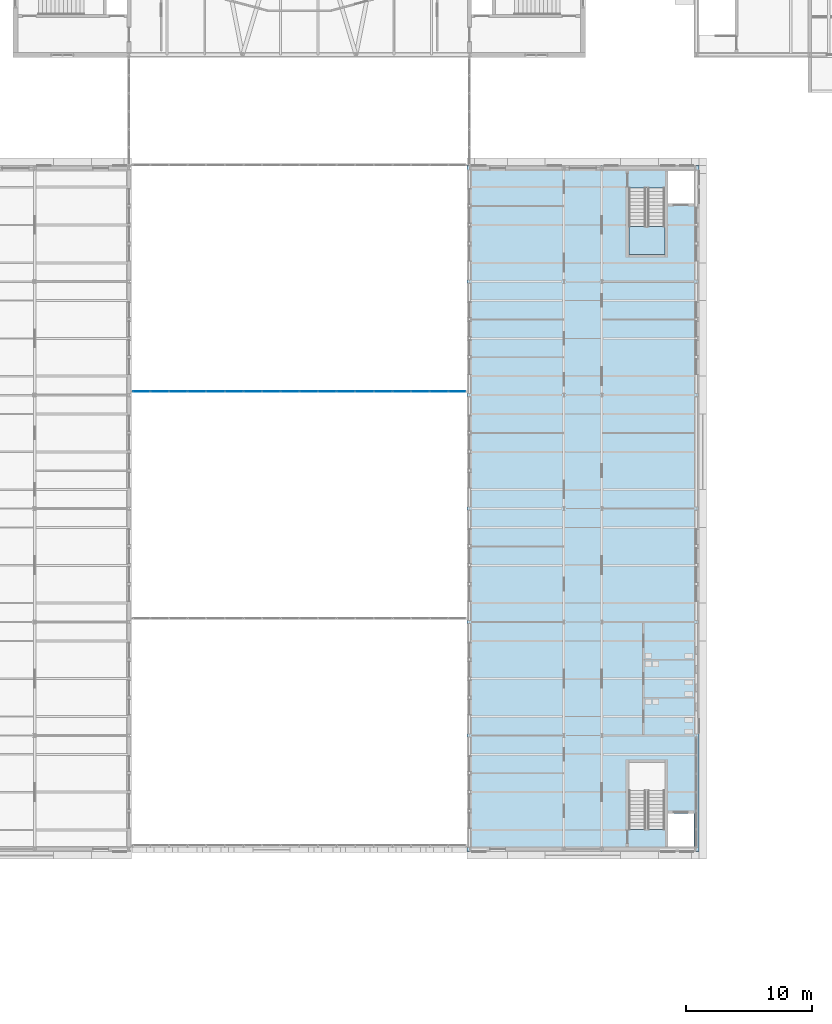
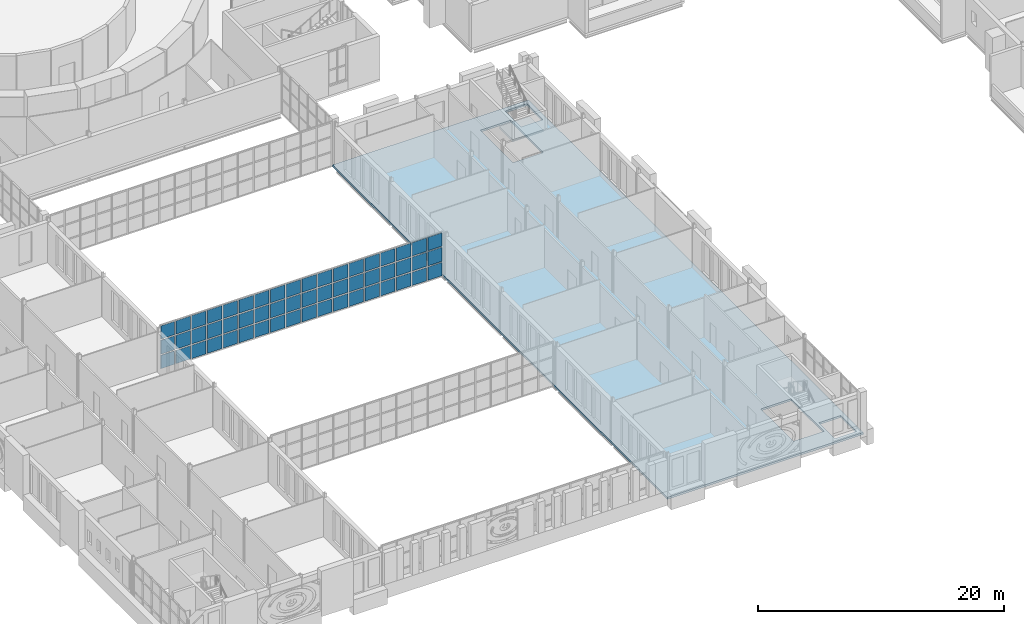
# One storey, part 63 of 131: 54 plates, 2 slabs, 2 elements without a shape of their own.
"""IFC4 building model written with IfcOpenShell, lengths in metres."""

from ifc_helpers import new_model, si_unit, direction, frame, origin, origin_2d, place, context, subcontext, project, spatial, polyline, rectangle, outline, extrude, material, layer, layer_set, type_object, element, aggregate, save


model = new_model("IFC4")

# Units and contexts
model_context = context("Model", 3, precision=1e-05, world=origin(), true_north=direction((0.0, 1.0)))
body_context = subcontext(model_context, "Body", "Model", "MODEL_VIEW")
ifc_project = project(units=[si_unit("LENGTHUNIT", "METRE"), si_unit("AREAUNIT", "SQUARE_METRE"), si_unit("VOLUMEUNIT", "CUBIC_METRE"), si_unit("PLANEANGLEUNIT", "RADIAN"), si_unit("MASSUNIT", "GRAM", prefix="KILO")], contexts=[model_context])

# Site, building, storey
site_placement = place(None, origin())
site = spatial("IfcSite", under=ifc_project, at=site_placement, CompositionType="ELEMENT")
building_placement = place(site_placement, origin())
building = spatial("IfcBuilding", under=site, at=building_placement, Name="Golden Quay Civic Hall", CompositionType="ELEMENT")
storey_placement = place(building_placement, frame((0.0, 0.0, 9.89990234375)))
storey = spatial("IfcBuildingStorey", under=building, at=storey_placement, Name="L02", CompositionType="ELEMENT", Elevation=9.89990234375)

# Slab
ifc_material_1 = material(Name="Concrete C35/45", Category="concrete")
ifc_layer_1 = layer(ifc_material_1, 0.199951171875)
ifc_layer_set_1 = layer_set([ifc_layer_1], Name="Composite floor 200")
slab_type_1 = type_object("IfcSlabType", Name="Composite floor 200", PredefinedType="FLOOR", material=ifc_layer_set_1)
slab_1_placement = place(storey_placement, frame((0.0, 0.0, -0.199951171875)))
element("IfcSlab", 1, at=slab_1_placement, inside=storey, type_object=slab_type_1, Name="EM floor L02", PredefinedType="FLOOR", context=body_context, shape_type="SweptSolid", body=[
    extrude(outline(polyline([(117.199951171875, -0.199951171875), (98.800048828125, -0.199951171875), (98.800048828125, 54.199951171875), (117.199951171875, 54.199951171875), (117.199951171875, -0.199951171875)]), holes=[polyline([(114.5, 1.554931640625), (114.5, 6.85009765625), (111.64990234375, 6.85009765625), (111.64990234375, 1.554931640625), (114.5, 1.554931640625)]), polyline([(114.75, 0.199951171875), (116.800048828125, 0.199951171875), (116.800048828125, 2.800048828125), (114.75, 2.800048828125), (114.75, 0.199951171875)]), polyline([(111.64990234375, 52.445068359375), (111.64990234375, 47.14990234375), (114.5, 47.14990234375), (114.5, 52.445068359375), (111.64990234375, 52.445068359375)]), polyline([(116.800048828125, 53.800048828125), (114.75, 53.800048828125), (114.75, 51.199951171875), (116.800048828125, 51.199951171875), (116.800048828125, 53.800048828125)])]), origin(), (0.0, 0.0, 1.0), 0.199951171875),
])

# Stair, slab
ifc_material_2 = material(Name="Concrete C35/45", Category="concrete")
stair_type = type_object("IfcStairType", Name="Concrete stair 1350 wide 24 risers of 187.5", PredefinedType="HALF_TURN_STAIR", material=ifc_material_2)
stair_placement = place(storey_placement, origin())
stair = element("IfcStair", 2, at=stair_placement, inside=storey, type_object=stair_type, Name="L02 Stair EM-N", PredefinedType="HALF_TURN_STAIR")
ifc_material_3 = material(Name="Concrete C35/45", Category="concrete")
ifc_layer_2 = layer(ifc_material_3, 0.199951171875)
ifc_layer_set_2 = layer_set([ifc_layer_2], Name="Concrete stair landing 200, Concrete C35/45")
slab_type_2 = type_object("IfcSlabType", Name="Concrete stair landing 200", PredefinedType="LANDING", material=ifc_layer_set_2)
slab_2_placement = place(storey_placement, frame((0.0, 0.0, 2.050048828125)))
slab_2 = element("IfcSlab", 3, at=slab_2_placement, type_object=slab_type_2, Name="EM-N landing 1", PredefinedType="LANDING", context=body_context, shape_type="SweptSolid", body=[
    extrude(outline(polyline([(111.64990234375, 49.3701171875), (111.64990234375, 47.14990234375), (114.5, 47.14990234375), (114.5, 49.3701171875), (111.64990234375, 49.3701171875)])), origin(), (0.0, 0.0, 1.0), 0.199951171875),
])
aggregate(stair, [slab_2])

# Curtain wall, plates
ifc_material_4 = material(Name="Fire-resisting glass and steel", Category="steel")
curtain_wall_type = type_object("IfcCurtainWallType", Name="Fire-resisting glazed curtain wall EI 120", PredefinedType="NOTDEFINED", material=ifc_material_4)
curtain_wall_placement = place(storey_placement, origin())
curtain_wall = element("IfcCurtainWall", 4, at=curtain_wall_placement, inside=storey, type_object=curtain_wall_type, Name="CW3 curtain wall", PredefinedType="NOTDEFINED")
ifc_material_5 = material(Name="Fire-resisting laminated glass", Category="glass")
ifc_layer_3 = layer(ifc_material_5, 0.0400390625)
ifc_layer_set_3 = layer_set([ifc_layer_3], Name="Fire-resisting glazed panel 40")
plate_type = type_object("IfcPlateType", Name="Fire-resisting glazed panel 40", PredefinedType="CURTAIN_PANEL", material=ifc_layer_set_3)
plate_1_placement = place(storey_placement, frame((72.968994140625, 36.27001953125, -0.080078125), z_axis=(0.0, 0.0, 1.0), x_axis=(1.0, 0.0, 0.0)))
plate_1 = element("IfcPlate", 5, at=plate_1_placement, type_object=plate_type, Name="CW3 panel 1.1", PredefinedType="CURTAIN_PANEL", context=body_context, shape_type="SweptSolid", body=[
    extrude(rectangle(XDim=1.2978515625, YDim=0.0400390625, at=origin_2d()), origin(), (0.0, 0.0, 1.0), 1.320068359375),
])
plate_2_placement = place(storey_placement, frame((72.968994140625, 36.27001953125, 1.360107421875), z_axis=(0.0, 0.0, 1.0), x_axis=(1.0, 0.0, 0.0)))
plate_2 = element("IfcPlate", 6, at=plate_2_placement, type_object=plate_type, Name="CW3 panel 1.2", PredefinedType="CURTAIN_PANEL", context=body_context, shape_type="SweptSolid", body=[
    extrude(rectangle(XDim=1.2978515625, YDim=0.0400390625, at=origin_2d()), origin(), (0.0, 0.0, 1.0), 1.3798828125),
])
plate_3_placement = place(storey_placement, frame((72.968994140625, 36.27001953125, 2.85986328125), z_axis=(0.0, 0.0, 1.0), x_axis=(1.0, 0.0, 0.0)))
plate_3 = element("IfcPlate", 7, at=plate_3_placement, type_object=plate_type, Name="CW3 panel 1.3", PredefinedType="CURTAIN_PANEL", context=body_context, shape_type="SweptSolid", body=[
    extrude(rectangle(XDim=1.2978515625, YDim=0.0400390625, at=origin_2d()), origin(), (0.0, 0.0, 1.0), 1.320068359375),
])
plate_4_placement = place(storey_placement, frame((74.416748046875, 36.27001953125, -0.080078125), z_axis=(0.0, 0.0, 1.0), x_axis=(1.0, 0.0, 0.0)))
plate_4 = element("IfcPlate", 8, at=plate_4_placement, type_object=plate_type, Name="CW3 panel 2.1", PredefinedType="CURTAIN_PANEL", context=body_context, shape_type="SweptSolid", body=[
    extrude(rectangle(XDim=1.357666015625, YDim=0.0400390625, at=origin_2d()), origin(), (0.0, 0.0, 1.0), 1.320068359375),
])
plate_5_placement = place(storey_placement, frame((74.416748046875, 36.27001953125, 1.360107421875), z_axis=(0.0, 0.0, 1.0), x_axis=(1.0, 0.0, 0.0)))
plate_5 = element("IfcPlate", 9, at=plate_5_placement, type_object=plate_type, Name="CW3 panel 2.2", PredefinedType="CURTAIN_PANEL", context=body_context, shape_type="SweptSolid", body=[
    extrude(rectangle(XDim=1.357666015625, YDim=0.0400390625, at=origin_2d()), origin(), (0.0, 0.0, 1.0), 1.3798828125),
])
plate_6_placement = place(storey_placement, frame((74.416748046875, 36.27001953125, 2.85986328125), z_axis=(0.0, 0.0, 1.0), x_axis=(1.0, 0.0, 0.0)))
plate_6 = element("IfcPlate", 10, at=plate_6_placement, type_object=plate_type, Name="CW3 panel 2.3", PredefinedType="CURTAIN_PANEL", context=body_context, shape_type="SweptSolid", body=[
    extrude(rectangle(XDim=1.357666015625, YDim=0.0400390625, at=origin_2d()), origin(), (0.0, 0.0, 1.0), 1.320068359375),
])
plate_7_placement = place(storey_placement, frame((75.89453125, 36.27001953125, -0.080078125), z_axis=(0.0, 0.0, 1.0), x_axis=(1.0, 0.0, 0.0)))
plate_7 = element("IfcPlate", 11, at=plate_7_placement, type_object=plate_type, Name="CW3 panel 3.1", PredefinedType="CURTAIN_PANEL", context=body_context, shape_type="SweptSolid", body=[
    extrude(rectangle(XDim=1.357666015625, YDim=0.0400390625, at=origin_2d()), origin(), (0.0, 0.0, 1.0), 1.320068359375),
])
plate_8_placement = place(storey_placement, frame((75.89453125, 36.27001953125, 1.360107421875), z_axis=(0.0, 0.0, 1.0), x_axis=(1.0, 0.0, 0.0)))
plate_8 = element("IfcPlate", 12, at=plate_8_placement, type_object=plate_type, Name="CW3 panel 3.2", PredefinedType="CURTAIN_PANEL", context=body_context, shape_type="SweptSolid", body=[
    extrude(rectangle(XDim=1.357666015625, YDim=0.0400390625, at=origin_2d()), origin(), (0.0, 0.0, 1.0), 1.3798828125),
])
plate_9_placement = place(storey_placement, frame((75.89453125, 36.27001953125, 2.85986328125), z_axis=(0.0, 0.0, 1.0), x_axis=(1.0, 0.0, 0.0)))
plate_9 = element("IfcPlate", 13, at=plate_9_placement, type_object=plate_type, Name="CW3 panel 3.3", PredefinedType="CURTAIN_PANEL", context=body_context, shape_type="SweptSolid", body=[
    extrude(rectangle(XDim=1.357666015625, YDim=0.0400390625, at=origin_2d()), origin(), (0.0, 0.0, 1.0), 1.320068359375),
])
plate_10_placement = place(storey_placement, frame((77.372314453125, 36.27001953125, -0.080078125), z_axis=(0.0, 0.0, 1.0), x_axis=(1.0, 0.0, 0.0)))
plate_10 = element("IfcPlate", 14, at=plate_10_placement, type_object=plate_type, Name="CW3 panel 4.1", PredefinedType="CURTAIN_PANEL", context=body_context, shape_type="SweptSolid", body=[
    extrude(rectangle(XDim=1.357666015625, YDim=0.0400390625, at=origin_2d()), origin(), (0.0, 0.0, 1.0), 1.320068359375),
])
plate_11_placement = place(storey_placement, frame((77.372314453125, 36.27001953125, 1.360107421875), z_axis=(0.0, 0.0, 1.0), x_axis=(1.0, 0.0, 0.0)))
plate_11 = element("IfcPlate", 15, at=plate_11_placement, type_object=plate_type, Name="CW3 panel 4.2", PredefinedType="CURTAIN_PANEL", context=body_context, shape_type="SweptSolid", body=[
    extrude(rectangle(XDim=1.357666015625, YDim=0.0400390625, at=origin_2d()), origin(), (0.0, 0.0, 1.0), 1.3798828125),
])
plate_12_placement = place(storey_placement, frame((77.372314453125, 36.27001953125, 2.85986328125), z_axis=(0.0, 0.0, 1.0), x_axis=(1.0, 0.0, 0.0)))
plate_12 = element("IfcPlate", 16, at=plate_12_placement, type_object=plate_type, Name="CW3 panel 4.3", PredefinedType="CURTAIN_PANEL", context=body_context, shape_type="SweptSolid", body=[
    extrude(rectangle(XDim=1.357666015625, YDim=0.0400390625, at=origin_2d()), origin(), (0.0, 0.0, 1.0), 1.320068359375),
])
plate_13_placement = place(storey_placement, frame((78.85009765625, 36.27001953125, -0.080078125), z_axis=(0.0, 0.0, 1.0), x_axis=(1.0, 0.0, 0.0)))
plate_13 = element("IfcPlate", 17, at=plate_13_placement, type_object=plate_type, Name="CW3 panel 5.1", PredefinedType="CURTAIN_PANEL", context=body_context, shape_type="SweptSolid", body=[
    extrude(rectangle(XDim=1.357666015625, YDim=0.0400390625, at=origin_2d()), origin(), (0.0, 0.0, 1.0), 1.320068359375),
])
plate_14_placement = place(storey_placement, frame((78.85009765625, 36.27001953125, 1.360107421875), z_axis=(0.0, 0.0, 1.0), x_axis=(1.0, 0.0, 0.0)))
plate_14 = element("IfcPlate", 18, at=plate_14_placement, type_object=plate_type, Name="CW3 panel 5.2", PredefinedType="CURTAIN_PANEL", context=body_context, shape_type="SweptSolid", body=[
    extrude(rectangle(XDim=1.357666015625, YDim=0.0400390625, at=origin_2d()), origin(), (0.0, 0.0, 1.0), 1.3798828125),
])
plate_15_placement = place(storey_placement, frame((78.85009765625, 36.27001953125, 2.85986328125), z_axis=(0.0, 0.0, 1.0), x_axis=(1.0, 0.0, 0.0)))
plate_15 = element("IfcPlate", 19, at=plate_15_placement, type_object=plate_type, Name="CW3 panel 5.3", PredefinedType="CURTAIN_PANEL", context=body_context, shape_type="SweptSolid", body=[
    extrude(rectangle(XDim=1.357666015625, YDim=0.0400390625, at=origin_2d()), origin(), (0.0, 0.0, 1.0), 1.320068359375),
])
plate_16_placement = place(storey_placement, frame((80.327880859375, 36.27001953125, -0.080078125), z_axis=(0.0, 0.0, 1.0), x_axis=(1.0, 0.0, 0.0)))
plate_16 = element("IfcPlate", 20, at=plate_16_placement, type_object=plate_type, Name="CW3 panel 6.1", PredefinedType="CURTAIN_PANEL", context=body_context, shape_type="SweptSolid", body=[
    extrude(rectangle(XDim=1.357666015625, YDim=0.0400390625, at=origin_2d()), origin(), (0.0, 0.0, 1.0), 1.320068359375),
])
plate_17_placement = place(storey_placement, frame((80.327880859375, 36.27001953125, 1.360107421875), z_axis=(0.0, 0.0, 1.0), x_axis=(1.0, 0.0, 0.0)))
plate_17 = element("IfcPlate", 21, at=plate_17_placement, type_object=plate_type, Name="CW3 panel 6.2", PredefinedType="CURTAIN_PANEL", context=body_context, shape_type="SweptSolid", body=[
    extrude(rectangle(XDim=1.357666015625, YDim=0.0400390625, at=origin_2d()), origin(), (0.0, 0.0, 1.0), 1.3798828125),
])
plate_18_placement = place(storey_placement, frame((80.327880859375, 36.27001953125, 2.85986328125), z_axis=(0.0, 0.0, 1.0), x_axis=(1.0, 0.0, 0.0)))
plate_18 = element("IfcPlate", 22, at=plate_18_placement, type_object=plate_type, Name="CW3 panel 6.3", PredefinedType="CURTAIN_PANEL", context=body_context, shape_type="SweptSolid", body=[
    extrude(rectangle(XDim=1.357666015625, YDim=0.0400390625, at=origin_2d()), origin(), (0.0, 0.0, 1.0), 1.320068359375),
])
plate_19_placement = place(storey_placement, frame((81.8056640625, 36.27001953125, -0.080078125), z_axis=(0.0, 0.0, 1.0), x_axis=(1.0, 0.0, 0.0)))
plate_19 = element("IfcPlate", 23, at=plate_19_placement, type_object=plate_type, Name="CW3 panel 7.1", PredefinedType="CURTAIN_PANEL", context=body_context, shape_type="SweptSolid", body=[
    extrude(rectangle(XDim=1.357666015625, YDim=0.0400390625, at=origin_2d()), origin(), (0.0, 0.0, 1.0), 1.320068359375),
])
plate_20_placement = place(storey_placement, frame((81.8056640625, 36.27001953125, 1.360107421875), z_axis=(0.0, 0.0, 1.0), x_axis=(1.0, 0.0, 0.0)))
plate_20 = element("IfcPlate", 24, at=plate_20_placement, type_object=plate_type, Name="CW3 panel 7.2", PredefinedType="CURTAIN_PANEL", context=body_context, shape_type="SweptSolid", body=[
    extrude(rectangle(XDim=1.357666015625, YDim=0.0400390625, at=origin_2d()), origin(), (0.0, 0.0, 1.0), 1.3798828125),
])
plate_21_placement = place(storey_placement, frame((81.8056640625, 36.27001953125, 2.85986328125), z_axis=(0.0, 0.0, 1.0), x_axis=(1.0, 0.0, 0.0)))
plate_21 = element("IfcPlate", 25, at=plate_21_placement, type_object=plate_type, Name="CW3 panel 7.3", PredefinedType="CURTAIN_PANEL", context=body_context, shape_type="SweptSolid", body=[
    extrude(rectangle(XDim=1.357666015625, YDim=0.0400390625, at=origin_2d()), origin(), (0.0, 0.0, 1.0), 1.320068359375),
])
plate_22_placement = place(storey_placement, frame((83.283447265625, 36.27001953125, -0.080078125), z_axis=(0.0, 0.0, 1.0), x_axis=(1.0, 0.0, 0.0)))
plate_22 = element("IfcPlate", 26, at=plate_22_placement, type_object=plate_type, Name="CW3 panel 8.1", PredefinedType="CURTAIN_PANEL", context=body_context, shape_type="SweptSolid", body=[
    extrude(rectangle(XDim=1.357666015625, YDim=0.0400390625, at=origin_2d()), origin(), (0.0, 0.0, 1.0), 1.320068359375),
])
plate_23_placement = place(storey_placement, frame((83.283447265625, 36.27001953125, 1.360107421875), z_axis=(0.0, 0.0, 1.0), x_axis=(1.0, 0.0, 0.0)))
plate_23 = element("IfcPlate", 27, at=plate_23_placement, type_object=plate_type, Name="CW3 panel 8.2", PredefinedType="CURTAIN_PANEL", context=body_context, shape_type="SweptSolid", body=[
    extrude(rectangle(XDim=1.357666015625, YDim=0.0400390625, at=origin_2d()), origin(), (0.0, 0.0, 1.0), 1.3798828125),
])
plate_24_placement = place(storey_placement, frame((83.283447265625, 36.27001953125, 2.85986328125), z_axis=(0.0, 0.0, 1.0), x_axis=(1.0, 0.0, 0.0)))
plate_24 = element("IfcPlate", 28, at=plate_24_placement, type_object=plate_type, Name="CW3 panel 8.3", PredefinedType="CURTAIN_PANEL", context=body_context, shape_type="SweptSolid", body=[
    extrude(rectangle(XDim=1.357666015625, YDim=0.0400390625, at=origin_2d()), origin(), (0.0, 0.0, 1.0), 1.320068359375),
])
plate_25_placement = place(storey_placement, frame((84.76123046875, 36.27001953125, -0.080078125), z_axis=(0.0, 0.0, 1.0), x_axis=(1.0, 0.0, 0.0)))
plate_25 = element("IfcPlate", 29, at=plate_25_placement, type_object=plate_type, Name="CW3 panel 9.1", PredefinedType="CURTAIN_PANEL", context=body_context, shape_type="SweptSolid", body=[
    extrude(rectangle(XDim=1.357666015625, YDim=0.0400390625, at=origin_2d()), origin(), (0.0, 0.0, 1.0), 1.320068359375),
])
plate_26_placement = place(storey_placement, frame((84.76123046875, 36.27001953125, 1.360107421875), z_axis=(0.0, 0.0, 1.0), x_axis=(1.0, 0.0, 0.0)))
plate_26 = element("IfcPlate", 30, at=plate_26_placement, type_object=plate_type, Name="CW3 panel 9.2", PredefinedType="CURTAIN_PANEL", context=body_context, shape_type="SweptSolid", body=[
    extrude(rectangle(XDim=1.357666015625, YDim=0.0400390625, at=origin_2d()), origin(), (0.0, 0.0, 1.0), 1.3798828125),
])
plate_27_placement = place(storey_placement, frame((84.76123046875, 36.27001953125, 2.85986328125), z_axis=(0.0, 0.0, 1.0), x_axis=(1.0, 0.0, 0.0)))
plate_27 = element("IfcPlate", 31, at=plate_27_placement, type_object=plate_type, Name="CW3 panel 9.3", PredefinedType="CURTAIN_PANEL", context=body_context, shape_type="SweptSolid", body=[
    extrude(rectangle(XDim=1.357666015625, YDim=0.0400390625, at=origin_2d()), origin(), (0.0, 0.0, 1.0), 1.320068359375),
])
plate_28_placement = place(storey_placement, frame((86.23876953125, 36.27001953125, -0.080078125), z_axis=(0.0, 0.0, 1.0), x_axis=(1.0, 0.0, 0.0)))
plate_28 = element("IfcPlate", 32, at=plate_28_placement, type_object=plate_type, Name="CW3 panel 10.1", PredefinedType="CURTAIN_PANEL", context=body_context, shape_type="SweptSolid", body=[
    extrude(rectangle(XDim=1.357666015625, YDim=0.0400390625, at=origin_2d()), origin(), (0.0, 0.0, 1.0), 1.320068359375),
])
plate_29_placement = place(storey_placement, frame((86.23876953125, 36.27001953125, 1.360107421875), z_axis=(0.0, 0.0, 1.0), x_axis=(1.0, 0.0, 0.0)))
plate_29 = element("IfcPlate", 33, at=plate_29_placement, type_object=plate_type, Name="CW3 panel 10.2", PredefinedType="CURTAIN_PANEL", context=body_context, shape_type="SweptSolid", body=[
    extrude(rectangle(XDim=1.357666015625, YDim=0.0400390625, at=origin_2d()), origin(), (0.0, 0.0, 1.0), 1.3798828125),
])
plate_30_placement = place(storey_placement, frame((86.23876953125, 36.27001953125, 2.85986328125), z_axis=(0.0, 0.0, 1.0), x_axis=(1.0, 0.0, 0.0)))
plate_30 = element("IfcPlate", 34, at=plate_30_placement, type_object=plate_type, Name="CW3 panel 10.3", PredefinedType="CURTAIN_PANEL", context=body_context, shape_type="SweptSolid", body=[
    extrude(rectangle(XDim=1.357666015625, YDim=0.0400390625, at=origin_2d()), origin(), (0.0, 0.0, 1.0), 1.320068359375),
])
plate_31_placement = place(storey_placement, frame((87.716552734375, 36.27001953125, -0.080078125), z_axis=(0.0, 0.0, 1.0), x_axis=(1.0, 0.0, 0.0)))
plate_31 = element("IfcPlate", 35, at=plate_31_placement, type_object=plate_type, Name="CW3 panel 11.1", PredefinedType="CURTAIN_PANEL", context=body_context, shape_type="SweptSolid", body=[
    extrude(rectangle(XDim=1.357666015625, YDim=0.0400390625, at=origin_2d()), origin(), (0.0, 0.0, 1.0), 1.320068359375),
])
plate_32_placement = place(storey_placement, frame((87.716552734375, 36.27001953125, 1.360107421875), z_axis=(0.0, 0.0, 1.0), x_axis=(1.0, 0.0, 0.0)))
plate_32 = element("IfcPlate", 36, at=plate_32_placement, type_object=plate_type, Name="CW3 panel 11.2", PredefinedType="CURTAIN_PANEL", context=body_context, shape_type="SweptSolid", body=[
    extrude(rectangle(XDim=1.357666015625, YDim=0.0400390625, at=origin_2d()), origin(), (0.0, 0.0, 1.0), 1.3798828125),
])
plate_33_placement = place(storey_placement, frame((87.716552734375, 36.27001953125, 2.85986328125), z_axis=(0.0, 0.0, 1.0), x_axis=(1.0, 0.0, 0.0)))
plate_33 = element("IfcPlate", 37, at=plate_33_placement, type_object=plate_type, Name="CW3 panel 11.3", PredefinedType="CURTAIN_PANEL", context=body_context, shape_type="SweptSolid", body=[
    extrude(rectangle(XDim=1.357666015625, YDim=0.0400390625, at=origin_2d()), origin(), (0.0, 0.0, 1.0), 1.320068359375),
])
plate_34_placement = place(storey_placement, frame((89.1943359375, 36.27001953125, -0.080078125), z_axis=(0.0, 0.0, 1.0), x_axis=(1.0, 0.0, 0.0)))
plate_34 = element("IfcPlate", 38, at=plate_34_placement, type_object=plate_type, Name="CW3 panel 12.1", PredefinedType="CURTAIN_PANEL", context=body_context, shape_type="SweptSolid", body=[
    extrude(rectangle(XDim=1.357666015625, YDim=0.0400390625, at=origin_2d()), origin(), (0.0, 0.0, 1.0), 1.320068359375),
])
plate_35_placement = place(storey_placement, frame((89.1943359375, 36.27001953125, 1.360107421875), z_axis=(0.0, 0.0, 1.0), x_axis=(1.0, 0.0, 0.0)))
plate_35 = element("IfcPlate", 39, at=plate_35_placement, type_object=plate_type, Name="CW3 panel 12.2", PredefinedType="CURTAIN_PANEL", context=body_context, shape_type="SweptSolid", body=[
    extrude(rectangle(XDim=1.357666015625, YDim=0.0400390625, at=origin_2d()), origin(), (0.0, 0.0, 1.0), 1.3798828125),
])
plate_36_placement = place(storey_placement, frame((89.1943359375, 36.27001953125, 2.85986328125), z_axis=(0.0, 0.0, 1.0), x_axis=(1.0, 0.0, 0.0)))
plate_36 = element("IfcPlate", 40, at=plate_36_placement, type_object=plate_type, Name="CW3 panel 12.3", PredefinedType="CURTAIN_PANEL", context=body_context, shape_type="SweptSolid", body=[
    extrude(rectangle(XDim=1.357666015625, YDim=0.0400390625, at=origin_2d()), origin(), (0.0, 0.0, 1.0), 1.320068359375),
])
plate_37_placement = place(storey_placement, frame((90.672119140625, 36.27001953125, -0.080078125), z_axis=(0.0, 0.0, 1.0), x_axis=(1.0, 0.0, 0.0)))
plate_37 = element("IfcPlate", 41, at=plate_37_placement, type_object=plate_type, Name="CW3 panel 13.1", PredefinedType="CURTAIN_PANEL", context=body_context, shape_type="SweptSolid", body=[
    extrude(rectangle(XDim=1.357666015625, YDim=0.0400390625, at=origin_2d()), origin(), (0.0, 0.0, 1.0), 1.320068359375),
])
plate_38_placement = place(storey_placement, frame((90.672119140625, 36.27001953125, 1.360107421875), z_axis=(0.0, 0.0, 1.0), x_axis=(1.0, 0.0, 0.0)))
plate_38 = element("IfcPlate", 42, at=plate_38_placement, type_object=plate_type, Name="CW3 panel 13.2", PredefinedType="CURTAIN_PANEL", context=body_context, shape_type="SweptSolid", body=[
    extrude(rectangle(XDim=1.357666015625, YDim=0.0400390625, at=origin_2d()), origin(), (0.0, 0.0, 1.0), 1.3798828125),
])
plate_39_placement = place(storey_placement, frame((90.672119140625, 36.27001953125, 2.85986328125), z_axis=(0.0, 0.0, 1.0), x_axis=(1.0, 0.0, 0.0)))
plate_39 = element("IfcPlate", 43, at=plate_39_placement, type_object=plate_type, Name="CW3 panel 13.3", PredefinedType="CURTAIN_PANEL", context=body_context, shape_type="SweptSolid", body=[
    extrude(rectangle(XDim=1.357666015625, YDim=0.0400390625, at=origin_2d()), origin(), (0.0, 0.0, 1.0), 1.320068359375),
])
plate_40_placement = place(storey_placement, frame((92.14990234375, 36.27001953125, -0.080078125), z_axis=(0.0, 0.0, 1.0), x_axis=(1.0, 0.0, 0.0)))
plate_40 = element("IfcPlate", 44, at=plate_40_placement, type_object=plate_type, Name="CW3 panel 14.1", PredefinedType="CURTAIN_PANEL", context=body_context, shape_type="SweptSolid", body=[
    extrude(rectangle(XDim=1.357666015625, YDim=0.0400390625, at=origin_2d()), origin(), (0.0, 0.0, 1.0), 1.320068359375),
])
plate_41_placement = place(storey_placement, frame((92.14990234375, 36.27001953125, 1.360107421875), z_axis=(0.0, 0.0, 1.0), x_axis=(1.0, 0.0, 0.0)))
plate_41 = element("IfcPlate", 45, at=plate_41_placement, type_object=plate_type, Name="CW3 panel 14.2", PredefinedType="CURTAIN_PANEL", context=body_context, shape_type="SweptSolid", body=[
    extrude(rectangle(XDim=1.357666015625, YDim=0.0400390625, at=origin_2d()), origin(), (0.0, 0.0, 1.0), 1.3798828125),
])
plate_42_placement = place(storey_placement, frame((92.14990234375, 36.27001953125, 2.85986328125), z_axis=(0.0, 0.0, 1.0), x_axis=(1.0, 0.0, 0.0)))
plate_42 = element("IfcPlate", 46, at=plate_42_placement, type_object=plate_type, Name="CW3 panel 14.3", PredefinedType="CURTAIN_PANEL", context=body_context, shape_type="SweptSolid", body=[
    extrude(rectangle(XDim=1.357666015625, YDim=0.0400390625, at=origin_2d()), origin(), (0.0, 0.0, 1.0), 1.320068359375),
])
plate_43_placement = place(storey_placement, frame((93.627685546875, 36.27001953125, -0.080078125), z_axis=(0.0, 0.0, 1.0), x_axis=(1.0, 0.0, 0.0)))
plate_43 = element("IfcPlate", 47, at=plate_43_placement, type_object=plate_type, Name="CW3 panel 15.1", PredefinedType="CURTAIN_PANEL", context=body_context, shape_type="SweptSolid", body=[
    extrude(rectangle(XDim=1.357666015625, YDim=0.0400390625, at=origin_2d()), origin(), (0.0, 0.0, 1.0), 1.320068359375),
])
plate_44_placement = place(storey_placement, frame((93.627685546875, 36.27001953125, 1.360107421875), z_axis=(0.0, 0.0, 1.0), x_axis=(1.0, 0.0, 0.0)))
plate_44 = element("IfcPlate", 48, at=plate_44_placement, type_object=plate_type, Name="CW3 panel 15.2", PredefinedType="CURTAIN_PANEL", context=body_context, shape_type="SweptSolid", body=[
    extrude(rectangle(XDim=1.357666015625, YDim=0.0400390625, at=origin_2d()), origin(), (0.0, 0.0, 1.0), 1.3798828125),
])
plate_45_placement = place(storey_placement, frame((93.627685546875, 36.27001953125, 2.85986328125), z_axis=(0.0, 0.0, 1.0), x_axis=(1.0, 0.0, 0.0)))
plate_45 = element("IfcPlate", 49, at=plate_45_placement, type_object=plate_type, Name="CW3 panel 15.3", PredefinedType="CURTAIN_PANEL", context=body_context, shape_type="SweptSolid", body=[
    extrude(rectangle(XDim=1.357666015625, YDim=0.0400390625, at=origin_2d()), origin(), (0.0, 0.0, 1.0), 1.320068359375),
])
plate_46_placement = place(storey_placement, frame((95.10546875, 36.27001953125, -0.080078125), z_axis=(0.0, 0.0, 1.0), x_axis=(1.0, 0.0, 0.0)))
plate_46 = element("IfcPlate", 50, at=plate_46_placement, type_object=plate_type, Name="CW3 panel 16.1", PredefinedType="CURTAIN_PANEL", context=body_context, shape_type="SweptSolid", body=[
    extrude(rectangle(XDim=1.357666015625, YDim=0.0400390625, at=origin_2d()), origin(), (0.0, 0.0, 1.0), 1.320068359375),
])
plate_47_placement = place(storey_placement, frame((95.10546875, 36.27001953125, 1.360107421875), z_axis=(0.0, 0.0, 1.0), x_axis=(1.0, 0.0, 0.0)))
plate_47 = element("IfcPlate", 51, at=plate_47_placement, type_object=plate_type, Name="CW3 panel 16.2", PredefinedType="CURTAIN_PANEL", context=body_context, shape_type="SweptSolid", body=[
    extrude(rectangle(XDim=1.357666015625, YDim=0.0400390625, at=origin_2d()), origin(), (0.0, 0.0, 1.0), 1.3798828125),
])
plate_48_placement = place(storey_placement, frame((95.10546875, 36.27001953125, 2.85986328125), z_axis=(0.0, 0.0, 1.0), x_axis=(1.0, 0.0, 0.0)))
plate_48 = element("IfcPlate", 52, at=plate_48_placement, type_object=plate_type, Name="CW3 panel 16.3", PredefinedType="CURTAIN_PANEL", context=body_context, shape_type="SweptSolid", body=[
    extrude(rectangle(XDim=1.357666015625, YDim=0.0400390625, at=origin_2d()), origin(), (0.0, 0.0, 1.0), 1.320068359375),
])
plate_49_placement = place(storey_placement, frame((96.583251953125, 36.27001953125, -0.080078125), z_axis=(0.0, 0.0, 1.0), x_axis=(1.0, 0.0, 0.0)))
plate_49 = element("IfcPlate", 53, at=plate_49_placement, type_object=plate_type, Name="CW3 panel 17.1", PredefinedType="CURTAIN_PANEL", context=body_context, shape_type="SweptSolid", body=[
    extrude(rectangle(XDim=1.357666015625, YDim=0.0400390625, at=origin_2d()), origin(), (0.0, 0.0, 1.0), 1.320068359375),
])
plate_50_placement = place(storey_placement, frame((96.583251953125, 36.27001953125, 1.360107421875), z_axis=(0.0, 0.0, 1.0), x_axis=(1.0, 0.0, 0.0)))
plate_50 = element("IfcPlate", 54, at=plate_50_placement, type_object=plate_type, Name="CW3 panel 17.2", PredefinedType="CURTAIN_PANEL", context=body_context, shape_type="SweptSolid", body=[
    extrude(rectangle(XDim=1.357666015625, YDim=0.0400390625, at=origin_2d()), origin(), (0.0, 0.0, 1.0), 1.3798828125),
])
plate_51_placement = place(storey_placement, frame((96.583251953125, 36.27001953125, 2.85986328125), z_axis=(0.0, 0.0, 1.0), x_axis=(1.0, 0.0, 0.0)))
plate_51 = element("IfcPlate", 55, at=plate_51_placement, type_object=plate_type, Name="CW3 panel 17.3", PredefinedType="CURTAIN_PANEL", context=body_context, shape_type="SweptSolid", body=[
    extrude(rectangle(XDim=1.357666015625, YDim=0.0400390625, at=origin_2d()), origin(), (0.0, 0.0, 1.0), 1.320068359375),
])
plate_52_placement = place(storey_placement, frame((98.031005859375, 36.27001953125, -0.080078125), z_axis=(0.0, 0.0, 1.0), x_axis=(1.0, 0.0, 0.0)))
plate_52 = element("IfcPlate", 56, at=plate_52_placement, type_object=plate_type, Name="CW3 panel 18.1", PredefinedType="CURTAIN_PANEL", context=body_context, shape_type="SweptSolid", body=[
    extrude(rectangle(XDim=1.2978515625, YDim=0.0400390625, at=origin_2d()), origin(), (0.0, 0.0, 1.0), 1.320068359375),
])
plate_53_placement = place(storey_placement, frame((98.031005859375, 36.27001953125, 1.360107421875), z_axis=(0.0, 0.0, 1.0), x_axis=(1.0, 0.0, 0.0)))
plate_53 = element("IfcPlate", 57, at=plate_53_placement, type_object=plate_type, Name="CW3 panel 18.2", PredefinedType="CURTAIN_PANEL", context=body_context, shape_type="SweptSolid", body=[
    extrude(rectangle(XDim=1.2978515625, YDim=0.0400390625, at=origin_2d()), origin(), (0.0, 0.0, 1.0), 1.3798828125),
])
plate_54_placement = place(storey_placement, frame((98.031005859375, 36.27001953125, 2.85986328125), z_axis=(0.0, 0.0, 1.0), x_axis=(1.0, 0.0, 0.0)))
plate_54 = element("IfcPlate", 58, at=plate_54_placement, type_object=plate_type, Name="CW3 panel 18.3", PredefinedType="CURTAIN_PANEL", context=body_context, shape_type="SweptSolid", body=[
    extrude(rectangle(XDim=1.2978515625, YDim=0.0400390625, at=origin_2d()), origin(), (0.0, 0.0, 1.0), 1.320068359375),
])
aggregate(curtain_wall, [plate_1, plate_2, plate_3, plate_4, plate_5, plate_6, plate_7, plate_8, plate_9, plate_10, plate_11, plate_12, plate_13, plate_14, plate_15, plate_16, plate_17, plate_18, plate_19, plate_20, plate_21, plate_22, plate_23, plate_24, plate_25, plate_26, plate_27, plate_28, plate_29, plate_30, plate_31, plate_32, plate_33, plate_34, plate_35, plate_36, plate_37, plate_38, plate_39, plate_40, plate_41, plate_42, plate_43, plate_44, plate_45, plate_46, plate_47, plate_48, plate_49, plate_50, plate_51, plate_52, plate_53, plate_54])

save(model, "model.ifc")
